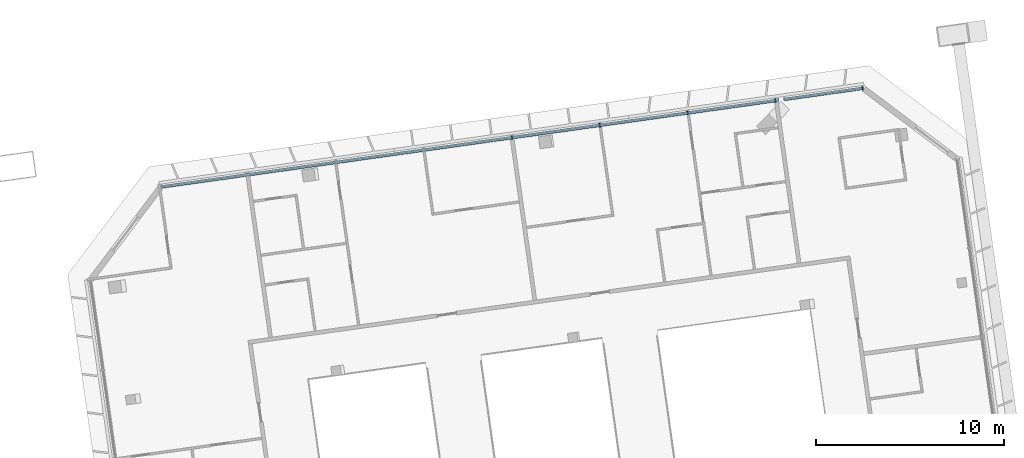
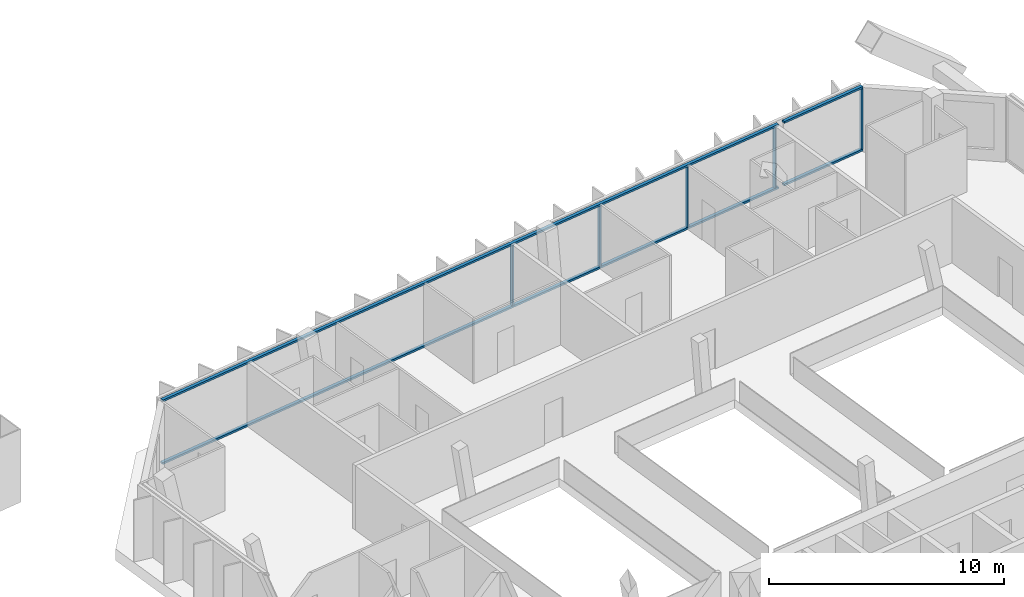
# One storey, part 9 of 25: 9 members, 1 element without a shape of its own.
"""IFC4 building model written with IfcOpenShell, lengths in metres."""

from ifc_helpers import new_model, si_unit, direction, frame, origin, origin_2d, place, context, subcontext, project, spatial, rectangle, extrude, material, material_profile, profile_set, type_object, element, aggregate, save


model = new_model("IFC4")

# Units and contexts
model_context = context("Model", 3, precision=1e-05, world=origin(), true_north=direction((0.0, 1.0)))
body_context = subcontext(model_context, "Body", "Model", "MODEL_VIEW")
ifc_project = project(units=[si_unit("LENGTHUNIT", "METRE"), si_unit("AREAUNIT", "SQUARE_METRE"), si_unit("VOLUMEUNIT", "CUBIC_METRE"), si_unit("PLANEANGLEUNIT", "RADIAN"), si_unit("MASSUNIT", "GRAM", prefix="KILO")], contexts=[model_context])

# Site, building, storey
site_placement = place(None, origin())
site = spatial("IfcSite", under=ifc_project, at=site_placement, CompositionType="ELEMENT")
building_placement = place(site_placement, origin())
building = spatial("IfcBuilding", under=site, at=building_placement, Name="Mirante Cascada Hotel Towers", CompositionType="ELEMENT")
storey_placement = place(building_placement, frame((0.0, 0.0, 247.0)))
storey = spatial("IfcBuildingStorey", under=building, at=storey_placement, Name="L59", CompositionType="ELEMENT", Elevation=247.0)

# Curtain wall, members
ifc_material_1 = material(Name="Aluminium mullion and transom frame with clear laminated glass", Category="aluminium")
curtain_wall_type = type_object("IfcCurtainWallType", Name="Ribbon curtain wall ECW1", PredefinedType="NOTDEFINED", material=ifc_material_1)
curtain_wall_placement = place(storey_placement, origin())
curtain_wall = element("IfcCurtainWall", 1, at=curtain_wall_placement, inside=storey, type_object=curtain_wall_type, Name="Front ribbon wall T2 L59", PredefinedType="NOTDEFINED")
ifc_material_2 = material(Name="Anodised aluminium extrusion", Category="aluminium")
ifc_material_profile_1 = material_profile(ifc_material_2, rectangle(XDim=0.2, YDim=0.065, at=origin_2d()), Name="ECW1 MULLION 65x200")
ifc_profile_set_1 = profile_set([ifc_material_profile_1], Name="Anodised aluminium extrusion")
member_type_1 = type_object("IfcMemberType", Name="ECW1 mullion 65x200", PredefinedType="MULLION", material=ifc_profile_set_1)
member_1_placement = place(storey_placement, frame((58.4763, 21.0373, 0.1), z_axis=(0.0, 0.0, 1.0), x_axis=(0.1391731, -0.9902681, 0.0)))
member_1 = element("IfcMember", 2, at=member_1_placement, type_object=member_type_1, Name="ECW1 mullion 1", PredefinedType="MULLION", context=body_context, shape_type="SweptSolid", body=[
    extrude(rectangle(XDim=0.2, YDim=0.065, at=origin_2d()), origin(), (0.0, 0.0, 1.0), 3.15),
])
member_2_placement = place(storey_placement, frame((53.8296, 20.3843, 0.1), z_axis=(0.0, 0.0, 1.0), x_axis=(0.1391731, -0.9902681, 0.0)))
member_2 = element("IfcMember", 3, at=member_2_placement, type_object=member_type_1, Name="ECW1 mullion 2", PredefinedType="MULLION", context=body_context, shape_type="SweptSolid", body=[
    extrude(rectangle(XDim=0.2, YDim=0.065, at=origin_2d()), origin(), (0.0, 0.0, 1.0), 3.15),
])
member_3_placement = place(storey_placement, frame((49.1507, 19.7267, 0.1), z_axis=(0.0, 0.0, 1.0), x_axis=(0.1391731, -0.9902681, 0.0)))
member_3 = element("IfcMember", 4, at=member_3_placement, type_object=member_type_1, Name="ECW1 mullion 3", PredefinedType="MULLION", context=body_context, shape_type="SweptSolid", body=[
    extrude(rectangle(XDim=0.2, YDim=0.065, at=origin_2d()), origin(), (0.0, 0.0, 1.0), 3.15),
])
member_4_placement = place(storey_placement, frame((44.4717, 19.0691, 0.1), z_axis=(0.0, 0.0, 1.0), x_axis=(0.1391731, -0.9902681, 0.0)))
member_4 = element("IfcMember", 5, at=member_4_placement, type_object=member_type_1, Name="ECW1 mullion 4", PredefinedType="MULLION", context=body_context, shape_type="SweptSolid", body=[
    extrude(rectangle(XDim=0.2, YDim=0.065, at=origin_2d()), origin(), (0.0, 0.0, 1.0), 3.15),
])
member_5_placement = place(storey_placement, frame((39.7928, 18.4115, 0.1), z_axis=(0.0, 0.0, 1.0), x_axis=(0.1391731, -0.9902681, 0.0)))
member_5 = element("IfcMember", 6, at=member_5_placement, type_object=member_type_1, Name="ECW1 mullion 5", PredefinedType="MULLION", context=body_context, shape_type="SweptSolid", body=[
    extrude(rectangle(XDim=0.2, YDim=0.065, at=origin_2d()), origin(), (0.0, 0.0, 1.0), 3.15),
])
ifc_material_3 = material(Name="Anodised aluminium extrusion", Category="aluminium")
ifc_material_profile_2 = material_profile(ifc_material_3, rectangle(XDim=0.16, YDim=0.1, at=origin_2d()), Name="ECW1 TRANSOM 100x160")
ifc_profile_set_2 = profile_set([ifc_material_profile_2], Name="Anodised aluminium extrusion")
member_type_2 = type_object("IfcMemberType", Name="ECW1 transom 100x160", PredefinedType="USERDEFINED", material=ifc_profile_set_2)
member_6_placement = place(storey_placement, frame((58.5085, 21.0419, 0.05), z_axis=(-0.9902671, -0.1391798, 0.0), x_axis=(0.1391798, -0.9902671, 0.0)))
member_6 = element("IfcMember", 7, at=member_6_placement, type_object=member_type_2, Name="ECW1 sill transom", ObjectType="TRANSOM", PredefinedType="USERDEFINED", context=body_context, shape_type="SweptSolid", body=[
    extrude(rectangle(XDim=0.16, YDim=0.1, at=origin_2d()), origin(), (0.0, 0.0, 1.0), 4.2477),
])
member_7_placement = place(storey_placement, frame((53.9982, 20.408, 0.05), z_axis=(-0.9902679, -0.1391743, 0.0), x_axis=(0.1391743, -0.9902679, 0.0)))
member_7 = element("IfcMember", 8, at=member_7_placement, type_object=member_type_2, Name="ECW1 sill transom", ObjectType="TRANSOM", PredefinedType="USERDEFINED", context=body_context, shape_type="SweptSolid", body=[
    extrude(rectangle(XDim=0.16, YDim=0.1, at=origin_2d()), origin(), (0.0, 0.0, 1.0), 33.2446),
])
member_8_placement = place(storey_placement, frame((58.5085, 21.0419, 3.3), z_axis=(-0.9902671, -0.1391798, 0.0), x_axis=(0.1391798, -0.9902671, 0.0)))
member_8 = element("IfcMember", 9, at=member_8_placement, type_object=member_type_2, Name="ECW1 head transom", ObjectType="TRANSOM", PredefinedType="USERDEFINED", context=body_context, shape_type="SweptSolid", body=[
    extrude(rectangle(XDim=0.16, YDim=0.1, at=origin_2d()), origin(), (0.0, 0.0, 1.0), 4.2477),
])
member_9_placement = place(storey_placement, frame((53.9982, 20.408, 3.3), z_axis=(-0.9902679, -0.1391743, 0.0), x_axis=(0.1391743, -0.9902679, 0.0)))
member_9 = element("IfcMember", 10, at=member_9_placement, type_object=member_type_2, Name="ECW1 head transom", ObjectType="TRANSOM", PredefinedType="USERDEFINED", context=body_context, shape_type="SweptSolid", body=[
    extrude(rectangle(XDim=0.16, YDim=0.1, at=origin_2d()), origin(), (0.0, 0.0, 1.0), 33.2446),
])
aggregate(curtain_wall, [member_6, member_7, member_8, member_9, member_1, member_2, member_3, member_4, member_5])

save(model, "model.ifc")
